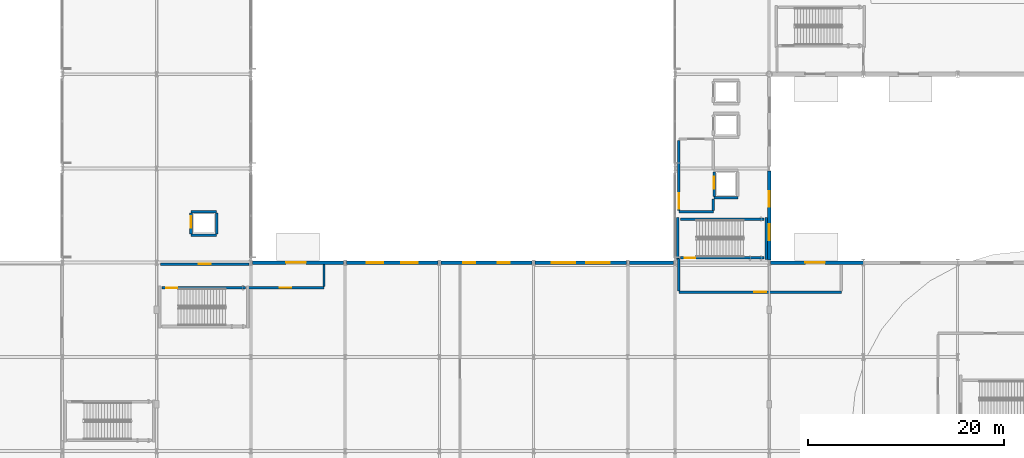
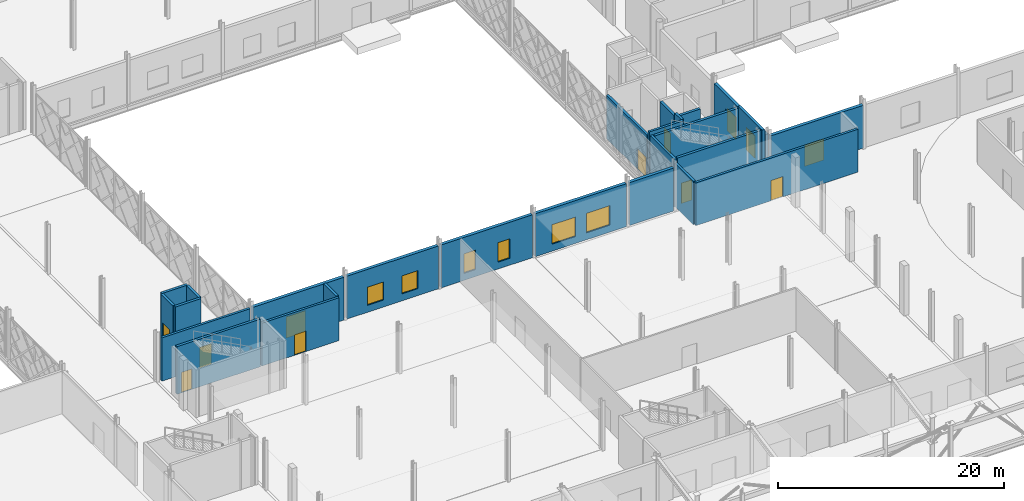
# One storey, part 53 of 84: 26 walls, 10 doors, 8 windows, 18 openings.
"""IFC4 building model written with IfcOpenShell, lengths in metres."""

from ifc_helpers import new_model, si_unit, direction, frame, frame_2d, origin, place, context, subcontext, project, spatial, rectangle, extrude, material, layer, layer_set, type_object, element, fill, save


model = new_model("IFC4")

# Units and contexts
model_context = context("Model", 3, precision=1e-05, world=origin(), true_north=direction((0.0, 1.0)))
body_context = subcontext(model_context, "Body", "Model", "MODEL_VIEW")
ifc_project = project(units=[si_unit("LENGTHUNIT", "METRE"), si_unit("AREAUNIT", "SQUARE_METRE"), si_unit("VOLUMEUNIT", "CUBIC_METRE"), si_unit("PLANEANGLEUNIT", "RADIAN"), si_unit("MASSUNIT", "GRAM", prefix="KILO")], contexts=[model_context])

# Site, building, storey
site_placement = place(None, origin())
site = spatial("IfcSite", under=ifc_project, at=site_placement, CompositionType="ELEMENT")
building_placement = place(site_placement, origin())
building = spatial("IfcBuilding", under=site, at=building_placement, Name="Zevrakil Square Congress Hotel", CompositionType="ELEMENT")
storey_placement = place(building_placement, origin())
storey = spatial("IfcBuildingStorey", under=building, at=storey_placement, Name="L01", CompositionType="ELEMENT", Elevation=0.0)

# Wall
ifc_material_1 = material(Name="Concrete C35/45", Category="concrete")
ifc_layer_1 = layer(ifc_material_1, 0.239990234375)
ifc_layer_set_1 = layer_set([ifc_layer_1], Name="Concrete C35/45")
wall_type_1 = type_object("IfcWallType", Name="WAL-COMP-240", PredefinedType="SOLIDWALL", material=ifc_layer_set_1)
wall_1_placement = place(storey_placement, frame((108.39990234375, 50.800048828125, 0.0), z_axis=(0.0, 0.0, 1.0), x_axis=(1.0, 0.0, 0.0)))
element("IfcWall", 1, at=wall_1_placement, inside=storey, type_object=wall_type_1, Name="L01 interior partition PW-L01-0042", PredefinedType="SOLIDWALL", context=body_context, shape_type="SweptSolid", body=[
    extrude(rectangle(XDim=3.5, YDim=0.239990234375, at=frame_2d((1.75, 0.0))), origin(), (0.0, 0.0, 1.0), 5.139892578125),
])

# Wall, opening, door
wall_2_placement = place(storey_placement, frame((108.39990234375, 50.925048828125, 0.0), z_axis=(0.0, 0.0, 1.0), x_axis=(0.0, 1.0, 0.0)))
wall_2 = element("IfcWall", 2, at=wall_2_placement, inside=storey, type_object=wall_type_1, Name="L01 interior partition PW-L01-0043", PredefinedType="SOLIDWALL", context=body_context, shape_type="SweptSolid", body=[
    extrude(rectangle(XDim=7.14990234375, YDim=0.239990234375, at=frame_2d((3.574951171875, 0.0))), origin(), (0.0, 0.0, 1.0), 4.68505859375),
])
opening_1_placement = place(wall_2_placement, frame((0.159912109375, 0.0, 0.0)))
opening_1 = element("IfcOpeningElement", 3, at=opening_1_placement, cuts=wall_2, Name="Opening FD90-D", PredefinedType="OPENING", context=body_context, shape_type="SweptSolid", body=[
    extrude(rectangle(XDim=1.60009765625, YDim=2.199951171875, at=frame_2d((0.800048828125, 1.10009765625))), frame((0.0, 0.1298828125, 0.0), z_axis=(0.0, -1.0, 0.0), x_axis=(1.0, 0.0, 0.0)), (0.0, 0.0, 1.0), 0.260009765625),
])
ifc_material_2 = material(Name="Steel S355 Double Fire Door", Category="steel")
door_type_1 = type_object("IfcDoorType", Name="DOR-FFLOB-FD90-160", OperationType="NOTDEFINED", PredefinedType="DOOR", material=ifc_material_2)
door_1_placement = place(opening_1_placement, origin())
door_1 = element("IfcDoor", 4, at=door_1_placement, inside=storey, type_object=door_type_1, Name="L01 interior door 13", OperationType="DOUBLE_DOOR_SINGLE_SWING", OverallHeight=2.199951171875, OverallWidth=1.60009765625, PredefinedType="DOOR", context=body_context, shape_type="SweptSolid", body=[
    extrude(rectangle(XDim=1.60009765625, YDim=2.199951171875, at=frame_2d((0.800048828125, 1.10009765625))), frame((0.0, 0.02490234375, 0.0), z_axis=(0.0, -1.0, 0.0), x_axis=(1.0, 0.0, 0.0)), (0.0, 0.0, 1.0), 0.050048828125),
])
fill(opening_1, door_1)

# Wall
wall_3_placement = place(storey_placement, frame((111.89990234375, 50.925048828125, 0.0), z_axis=(0.0, 0.0, 1.0), x_axis=(0.0, 1.0, 0.0)))
element("IfcWall", 5, at=wall_3_placement, inside=storey, type_object=wall_type_1, Name="L01 interior partition PW-L01-0045", PredefinedType="SOLIDWALL", context=body_context, shape_type="SweptSolid", body=[
    extrude(rectangle(XDim=1.155029296875, YDim=0.239990234375, at=frame_2d((0.57763671875, 0.0))), origin(), (0.0, 0.0, 1.0), 5.139892578125),
])

# Wall, opening, door
wall_4_placement = place(storey_placement, frame((64.39990234375, 43.050048828125, 0.0), z_axis=(0.0, 0.0, 1.0), x_axis=(1.0, 0.0, 0.0)))
wall_4 = element("IfcWall", 6, at=wall_4_placement, inside=storey, type_object=wall_type_1, Name="L01 interior partition PW-L01-0160", PredefinedType="SOLIDWALL", context=body_context, shape_type="SweptSolid", body=[
    extrude(rectangle(XDim=7.85009765625, YDim=0.239990234375, at=frame_2d((3.925048828125, 0.0))), origin(), (0.0, 0.0, 1.0), 4.625),
])
opening_2_placement = place(wall_4_placement, frame((3.324951171875, 0.0, 0.0)))
opening_2 = element("IfcOpeningElement", 7, at=opening_2_placement, cuts=wall_4, Name="Opening FD90", PredefinedType="OPENING", context=body_context, shape_type="SweptSolid", body=[
    extrude(rectangle(XDim=1.199951171875, YDim=2.199951171875, at=frame_2d((0.60009765625, 1.10009765625))), frame((0.0, 0.1298828125, 0.0), z_axis=(0.0, -1.0, 0.0), x_axis=(1.0, 0.0, 0.0)), (0.0, 0.0, 1.0), 0.260009765625),
])
ifc_material_3 = material(Name="Steel S355 Fire-Rated Door", Category="steel")
door_type_2 = type_object("IfcDoorType", Name="DOR-STAIR-FD90-120", OperationType="NOTDEFINED", PredefinedType="DOOR", material=ifc_material_3)
door_2_placement = place(opening_2_placement, origin())
door_2 = element("IfcDoor", 8, at=door_2_placement, inside=storey, type_object=door_type_2, Name="L01 interior door 65", OperationType="SINGLE_SWING_LEFT", OverallHeight=2.199951171875, OverallWidth=1.199951171875, PredefinedType="DOOR", context=body_context, shape_type="SweptSolid", body=[
    extrude(rectangle(XDim=1.199951171875, YDim=2.199951171875, at=frame_2d((0.60009765625, 1.10009765625))), frame((0.0, 0.02490234375, 0.0), z_axis=(0.0, -1.0, 0.0), x_axis=(1.0, 0.0, 0.0)), (0.0, 0.0, 1.0), 0.050048828125),
])
fill(opening_2, door_2)

# Wall
wall_5_placement = place(storey_placement, frame((72.25, 43.179931640625, 0.0), z_axis=(0.0, 0.0, 1.0), x_axis=(0.0, 1.0, 0.0)))
element("IfcWall", 9, at=wall_5_placement, inside=storey, type_object=wall_type_1, Name="L01 interior partition PW-L01-0161", PredefinedType="SOLIDWALL", context=body_context, shape_type="SweptSolid", body=[
    extrude(rectangle(XDim=2.239990234375, YDim=0.239990234375, at=frame_2d((1.1201171875, 0.0))), origin(), (0.0, 0.0, 1.0), 4.68505859375),
])

# Wall, opening, door
wall_6_placement = place(storey_placement, frame((55.60009765625, 45.449951171875, 0.0), z_axis=(0.0, 0.0, 1.0), x_axis=(1.0, 0.0, 0.0)))
wall_6 = element("IfcWall", 10, at=wall_6_placement, inside=storey, type_object=wall_type_1, Name="L01 interior partition PW-L01-0162", PredefinedType="SOLIDWALL", context=body_context, shape_type="SweptSolid", body=[
    extrude(rectangle(XDim=9.0, YDim=0.239990234375, at=frame_2d((4.5, 0.0))), origin(), (0.0, 0.0, 1.0), 4.675048828125),
])
opening_3_placement = place(wall_6_placement, frame((3.89990234375, 0.0, 0.0)))
opening_3 = element("IfcOpeningElement", 11, at=opening_3_placement, cuts=wall_6, Name="Opening FD90", PredefinedType="OPENING", context=body_context, shape_type="SweptSolid", body=[
    extrude(rectangle(XDim=1.199951171875, YDim=2.199951171875, at=frame_2d((0.60009765625, 1.10009765625))), frame((0.0, 0.1298828125, 0.0), z_axis=(0.0, -1.0, 0.0), x_axis=(1.0, 0.0, 0.0)), (0.0, 0.0, 1.0), 0.260009765625),
])
door_3_placement = place(opening_3_placement, origin())
door_3 = element("IfcDoor", 12, at=door_3_placement, inside=storey, type_object=door_type_2, Name="L01 interior door 66", OperationType="SINGLE_SWING_RIGHT", OverallHeight=2.199951171875, OverallWidth=1.199951171875, PredefinedType="DOOR", context=body_context, shape_type="SweptSolid", body=[
    extrude(rectangle(XDim=1.199951171875, YDim=2.199951171875, at=frame_2d((0.60009765625, 1.10009765625))), frame((0.0, 0.02490234375, 0.0), z_axis=(0.0, -1.0, 0.0), x_axis=(1.0, 0.0, 0.0)), (0.0, 0.0, 1.0), 0.050048828125),
])
fill(opening_3, door_3)

wall_7_placement = place(storey_placement, frame((108.39990234375, 42.60009765625, 0.0), z_axis=(0.0, 0.0, 1.0), x_axis=(1.0, 0.0, 0.0)))
wall_7 = element("IfcWall", 13, at=wall_7_placement, inside=storey, type_object=wall_type_1, Name="L01 interior partition PW-L01-0164", PredefinedType="SOLIDWALL", context=body_context, shape_type="SweptSolid", body=[
    extrude(rectangle(XDim=16.550048828125, YDim=0.239990234375, at=frame_2d((8.27490234375, 0.0))), origin(), (0.0, 0.0, 1.0), 4.625),
])
opening_4_placement = place(wall_7_placement, frame((7.675048828125, 0.0, 0.0)))
opening_4 = element("IfcOpeningElement", 14, at=opening_4_placement, cuts=wall_7, Name="Opening FD90", PredefinedType="OPENING", context=body_context, shape_type="SweptSolid", body=[
    extrude(rectangle(XDim=1.199951171875, YDim=2.199951171875, at=frame_2d((0.60009765625, 1.10009765625))), frame((0.0, 0.1298828125, 0.0), z_axis=(0.0, -1.0, 0.0), x_axis=(1.0, 0.0, 0.0)), (0.0, 0.0, 1.0), 0.260009765625),
])
door_4_placement = place(opening_4_placement, origin())
door_4 = element("IfcDoor", 15, at=door_4_placement, inside=storey, type_object=door_type_2, Name="L01 interior door 68", OperationType="SINGLE_SWING_RIGHT", OverallHeight=2.199951171875, OverallWidth=1.199951171875, PredefinedType="DOOR", context=body_context, shape_type="SweptSolid", body=[
    extrude(rectangle(XDim=1.199951171875, YDim=2.199951171875, at=frame_2d((0.60009765625, 1.10009765625))), frame((0.0, 0.02490234375, 0.0), z_axis=(0.0, -1.0, 0.0), x_axis=(1.0, 0.0, 0.0)), (0.0, 0.0, 1.0), 0.050048828125),
])
fill(opening_4, door_4)

# Wall
wall_8_placement = place(storey_placement, frame((108.39990234375, 42.72998046875, 0.0), z_axis=(0.0, 0.0, 1.0), x_axis=(0.0, 1.0, 0.0)))
element("IfcWall", 16, at=wall_8_placement, inside=storey, type_object=wall_type_1, Name="L01 interior partition PW-L01-0165", PredefinedType="SOLIDWALL", context=body_context, shape_type="SweptSolid", body=[
    extrude(rectangle(XDim=3.320068359375, YDim=0.239990234375, at=frame_2d((1.66015625, 0.0))), origin(), (0.0, 0.0, 1.0), 4.68505859375),
])

# Wall, opening, door
ifc_material_4 = material(Name="Precast concrete C40/50", Category="concrete")
ifc_layer_2 = layer(ifc_material_4, 0.320068359375)
ifc_layer_set_2 = layer_set([ifc_layer_2], Name="Precast concrete C40/50")
wall_type_2 = type_object("IfcWallType", Name="WAL-EXT-GRC-320", PredefinedType="SOLIDWALL", material=ifc_layer_set_2)
wall_9_placement = place(storey_placement, frame((64.9541015625, 45.60009765625, 0.0), z_axis=(0.0, 0.0, 1.0), x_axis=(1.0, 0.0, 0.0)))
wall_9 = element("IfcWall", 17, at=wall_9_placement, inside=storey, type_object=wall_type_2, Name="L01 exterior GRC wall EW-L01-0083", PredefinedType="SOLIDWALL", context=body_context, shape_type="SweptSolid", body=[
    extrude(rectangle(XDim=9.2919921875, YDim=0.320068359375, at=frame_2d((4.64599609375, 0.0))), origin(), (0.0, 0.0, 1.0), 4.625),
])
opening_5_placement = place(wall_9_placement, frame((3.446044921875, 0.0, 0.0)))
opening_5 = element("IfcOpeningElement", 18, at=opening_5_placement, cuts=wall_9, Name="Opening E47", PredefinedType="OPENING", context=body_context, shape_type="SweptSolid", body=[
    extrude(rectangle(XDim=2.0, YDim=2.300048828125, at=frame_2d((1.0, 1.14990234375))), frame((0.0, 0.169921875, 0.0), z_axis=(0.0, -1.0, 0.0), x_axis=(1.0, 0.0, 0.0)), (0.0, 0.0, 1.0), 0.340087890625),
])
ifc_material_5 = material(Name="Aluminium Thermal-Break Glazed Door", Category="aluminium")
door_type_3 = type_object("IfcDoorType", Name="DOR-EXIT-200", OperationType="NOTDEFINED", PredefinedType="DOOR", material=ifc_material_5)
door_5_placement = place(opening_5_placement, origin())
door_5 = element("IfcDoor", 19, at=door_5_placement, inside=storey, type_object=door_type_3, Name="L01 pedestrian final exit door E47", OperationType="DOUBLE_DOOR_SINGLE_SWING", OverallHeight=2.300048828125, OverallWidth=2.0, PredefinedType="DOOR", context=body_context, shape_type="SweptSolid", body=[
    extrude(rectangle(XDim=2.0, YDim=2.300048828125, at=frame_2d((1.0, 1.14990234375))), frame((0.0, 0.02490234375, 0.0), z_axis=(0.0, -1.0, 0.0), x_axis=(1.0, 0.0, 0.0)), (0.0, 0.0, 1.0), 0.050048828125),
])
fill(opening_5, door_5)

# Wall, openings, windows
wall_10_placement = place(storey_placement, frame((74.553955078125, 45.60009765625, 0.0), z_axis=(0.0, 0.0, 1.0), x_axis=(1.0, 0.0, 0.0)))
wall_10 = element("IfcWall", 20, at=wall_10_placement, inside=storey, type_object=wall_type_2, Name="L01 exterior GRC wall EW-L01-0085", PredefinedType="SOLIDWALL", context=body_context, shape_type="SweptSolid", body=[
    extrude(rectangle(XDim=9.2919921875, YDim=0.320068359375, at=frame_2d((4.64599609375, 0.0))), origin(), (0.0, 0.0, 1.0), 4.625),
])
opening_6_placement = place(wall_10_placement, frame((2.072998046875, 0.0, 0.75)))
opening_6 = element("IfcOpeningElement", 21, at=opening_6_placement, cuts=wall_10, Name="Opening WN-27", PredefinedType="OPENING", context=body_context, shape_type="SweptSolid", body=[
    extrude(rectangle(XDim=1.64990234375, YDim=1.949951171875, at=frame_2d((0.824951171875, 0.97509765625))), frame((0.0, 0.169921875, 0.0), z_axis=(0.0, -1.0, 0.0), x_axis=(1.0, 0.0, 0.0)), (0.0, 0.0, 1.0), 0.340087890625),
])
opening_7_placement = place(wall_10_placement, frame((5.569091796875, 0.0, 0.75)))
opening_7 = element("IfcOpeningElement", 22, at=opening_7_placement, cuts=wall_10, Name="Opening WN-27", PredefinedType="OPENING", context=body_context, shape_type="SweptSolid", body=[
    extrude(rectangle(XDim=1.64990234375, YDim=1.949951171875, at=frame_2d((0.824951171875, 0.97509765625))), frame((0.0, 0.169921875, 0.0), z_axis=(0.0, -1.0, 0.0), x_axis=(1.0, 0.0, 0.0)), (0.0, 0.0, 1.0), 0.340087890625),
])
ifc_material_6 = material(Name="Low-E Solar Control Double Glazing", Category="glass")
window_type_1 = type_object("IfcWindowType", Name="WIN-EXT-27", PartitioningType="SINGLE_PANEL", PredefinedType="WINDOW", material=ifc_material_6)
window_1_placement = place(opening_6_placement, origin())
window_1 = element("IfcWindow", 23, at=window_1_placement, inside=storey, type_object=window_type_1, Name="L01 low-E solar window 71", OverallHeight=1.949951171875, OverallWidth=1.64990234375, PartitioningType="SINGLE_PANEL", PredefinedType="WINDOW", context=body_context, shape_type="SweptSolid", body=[
    extrude(rectangle(XDim=1.64990234375, YDim=1.949951171875, at=frame_2d((0.824951171875, 0.97509765625))), frame((0.0, 0.030029296875, 0.0), z_axis=(0.0, -1.0, 0.0), x_axis=(1.0, 0.0, 0.0)), (0.0, 0.0, 1.0), 0.06005859375),
])
fill(opening_6, window_1)
window_2_placement = place(opening_7_placement, origin())
window_2 = element("IfcWindow", 24, at=window_2_placement, inside=storey, type_object=window_type_1, Name="L01 low-E solar window 72", OverallHeight=1.949951171875, OverallWidth=1.64990234375, PartitioningType="SINGLE_PANEL", PredefinedType="WINDOW", context=body_context, shape_type="SweptSolid", body=[
    extrude(rectangle(XDim=1.64990234375, YDim=1.949951171875, at=frame_2d((0.824951171875, 0.97509765625))), frame((0.0, 0.030029296875, 0.0), z_axis=(0.0, -1.0, 0.0), x_axis=(1.0, 0.0, 0.0)), (0.0, 0.0, 1.0), 0.06005859375),
])
fill(opening_7, window_2)

wall_11_placement = place(storey_placement, frame((84.154052734375, 45.60009765625, 0.0), z_axis=(0.0, 0.0, 1.0), x_axis=(1.0, 0.0, 0.0)))
wall_11 = element("IfcWall", 25, at=wall_11_placement, inside=storey, type_object=wall_type_2, Name="L01 exterior GRC wall EW-L01-0087", PredefinedType="SOLIDWALL", context=body_context, shape_type="SweptSolid", body=[
    extrude(rectangle(XDim=9.2919921875, YDim=0.320068359375, at=frame_2d((4.64599609375, 0.0))), origin(), (0.0, 0.0, 1.0), 4.625),
])
opening_8_placement = place(wall_11_placement, frame((2.298095703125, 0.0, 0.75)))
opening_8 = element("IfcOpeningElement", 26, at=opening_8_placement, cuts=wall_11, Name="Opening WN-31", PredefinedType="OPENING", context=body_context, shape_type="SweptSolid", body=[
    extrude(rectangle(XDim=1.199951171875, YDim=2.10009765625, at=frame_2d((0.60009765625, 1.050048828125))), frame((0.0, 0.169921875, 0.0), z_axis=(0.0, -1.0, 0.0), x_axis=(1.0, 0.0, 0.0)), (0.0, 0.0, 1.0), 0.340087890625),
])
opening_9_placement = place(wall_11_placement, frame((5.7939453125, 0.0, 0.75)))
opening_9 = element("IfcOpeningElement", 27, at=opening_9_placement, cuts=wall_11, Name="Opening WN-31", PredefinedType="OPENING", context=body_context, shape_type="SweptSolid", body=[
    extrude(rectangle(XDim=1.199951171875, YDim=2.10009765625, at=frame_2d((0.60009765625, 1.050048828125))), frame((0.0, 0.169921875, 0.0), z_axis=(0.0, -1.0, 0.0), x_axis=(1.0, 0.0, 0.0)), (0.0, 0.0, 1.0), 0.340087890625),
])
ifc_material_7 = material(Name="Low-E Solar Control Double Glazing", Category="glass")
window_type_2 = type_object("IfcWindowType", Name="WIN-EXT-31", PartitioningType="SINGLE_PANEL", PredefinedType="WINDOW", material=ifc_material_7)
window_3_placement = place(opening_8_placement, origin())
window_3 = element("IfcWindow", 28, at=window_3_placement, inside=storey, type_object=window_type_2, Name="L01 low-E solar window 75", OverallHeight=2.10009765625, OverallWidth=1.199951171875, PartitioningType="SINGLE_PANEL", PredefinedType="WINDOW", context=body_context, shape_type="SweptSolid", body=[
    extrude(rectangle(XDim=1.199951171875, YDim=2.10009765625, at=frame_2d((0.60009765625, 1.050048828125))), frame((0.0, 0.030029296875, 0.0), z_axis=(0.0, -1.0, 0.0), x_axis=(1.0, 0.0, 0.0)), (0.0, 0.0, 1.0), 0.06005859375),
])
fill(opening_8, window_3)
window_4_placement = place(opening_9_placement, origin())
window_4 = element("IfcWindow", 29, at=window_4_placement, inside=storey, type_object=window_type_2, Name="L01 low-E solar window 76", OverallHeight=2.10009765625, OverallWidth=1.199951171875, PartitioningType="SINGLE_PANEL", PredefinedType="WINDOW", context=body_context, shape_type="SweptSolid", body=[
    extrude(rectangle(XDim=1.199951171875, YDim=2.10009765625, at=frame_2d((0.60009765625, 1.050048828125))), frame((0.0, 0.030029296875, 0.0), z_axis=(0.0, -1.0, 0.0), x_axis=(1.0, 0.0, 0.0)), (0.0, 0.0, 1.0), 0.06005859375),
])
fill(opening_9, window_4)

wall_12_placement = place(storey_placement, frame((93.75390625, 45.60009765625, 0.0), z_axis=(0.0, 0.0, 1.0), x_axis=(1.0, 0.0, 0.0)))
wall_12 = element("IfcWall", 30, at=wall_12_placement, inside=storey, type_object=wall_type_2, Name="L01 exterior GRC wall EW-L01-0089", PredefinedType="SOLIDWALL", context=body_context, shape_type="SweptSolid", body=[
    extrude(rectangle(XDim=9.2919921875, YDim=0.320068359375, at=frame_2d((4.64599609375, 0.0))), origin(), (0.0, 0.0, 1.0), 4.625),
])
opening_10_placement = place(wall_12_placement, frame((1.697998046875, 0.0, 0.75)))
opening_10 = element("IfcOpeningElement", 31, at=opening_10_placement, cuts=wall_12, Name="Opening WN-35", PredefinedType="OPENING", context=body_context, shape_type="SweptSolid", body=[
    extrude(rectangle(XDim=2.39990234375, YDim=2.10009765625, at=frame_2d((1.199951171875, 1.050048828125))), frame((0.0, 0.169921875, 0.0), z_axis=(0.0, -1.0, 0.0), x_axis=(1.0, 0.0, 0.0)), (0.0, 0.0, 1.0), 0.340087890625),
])
opening_11_placement = place(wall_12_placement, frame((5.194091796875, 0.0, 0.75)))
opening_11 = element("IfcOpeningElement", 32, at=opening_11_placement, cuts=wall_12, Name="Opening WN-35", PredefinedType="OPENING", context=body_context, shape_type="SweptSolid", body=[
    extrude(rectangle(XDim=2.39990234375, YDim=2.10009765625, at=frame_2d((1.199951171875, 1.050048828125))), frame((0.0, 0.169921875, 0.0), z_axis=(0.0, -1.0, 0.0), x_axis=(1.0, 0.0, 0.0)), (0.0, 0.0, 1.0), 0.340087890625),
])
ifc_material_8 = material(Name="Low-E Solar Control Double Glazing", Category="glass")
window_type_3 = type_object("IfcWindowType", Name="WIN-EXT-35", PartitioningType="SINGLE_PANEL", PredefinedType="WINDOW", material=ifc_material_8)
window_5_placement = place(opening_10_placement, origin())
window_5 = element("IfcWindow", 33, at=window_5_placement, inside=storey, type_object=window_type_3, Name="L01 low-E solar window 79", OverallHeight=2.10009765625, OverallWidth=2.39990234375, PartitioningType="SINGLE_PANEL", PredefinedType="WINDOW", context=body_context, shape_type="SweptSolid", body=[
    extrude(rectangle(XDim=2.39990234375, YDim=2.10009765625, at=frame_2d((1.199951171875, 1.050048828125))), frame((0.0, 0.030029296875, 0.0), z_axis=(0.0, -1.0, 0.0), x_axis=(1.0, 0.0, 0.0)), (0.0, 0.0, 1.0), 0.06005859375),
])
fill(opening_10, window_5)
window_6_placement = place(opening_11_placement, origin())
window_6 = element("IfcWindow", 34, at=window_6_placement, inside=storey, type_object=window_type_3, Name="L01 low-E solar window 80", OverallHeight=2.10009765625, OverallWidth=2.39990234375, PartitioningType="SINGLE_PANEL", PredefinedType="WINDOW", context=body_context, shape_type="SweptSolid", body=[
    extrude(rectangle(XDim=2.39990234375, YDim=2.10009765625, at=frame_2d((1.199951171875, 1.050048828125))), frame((0.0, 0.030029296875, 0.0), z_axis=(0.0, -1.0, 0.0), x_axis=(1.0, 0.0, 0.0)), (0.0, 0.0, 1.0), 0.06005859375),
])
fill(opening_11, window_6)

# Wall
wall_13_placement = place(storey_placement, frame((103.35400390625, 45.60009765625, 0.0), z_axis=(0.0, 0.0, 1.0), x_axis=(1.0, 0.0, 0.0)))
element("IfcWall", 35, at=wall_13_placement, inside=storey, type_object=wall_type_2, Name="L01 exterior GRC wall EW-L01-0091", PredefinedType="SOLIDWALL", context=body_context, shape_type="SweptSolid", body=[
    extrude(rectangle(XDim=4.491943359375, YDim=0.320068359375, at=frame_2d((2.24609375, 0.0))), origin(), (0.0, 0.0, 1.0), 4.625),
])

# Wall, opening, door
wall_14_placement = place(storey_placement, frame((117.75390625, 45.60009765625, 0.0), z_axis=(0.0, 0.0, 1.0), x_axis=(1.0, 0.0, 0.0)))
wall_14 = element("IfcWall", 36, at=wall_14_placement, inside=storey, type_object=wall_type_2, Name="L01 exterior GRC wall EW-L01-0093", PredefinedType="SOLIDWALL", context=body_context, shape_type="SweptSolid", body=[
    extrude(rectangle(XDim=9.443115234375, YDim=0.320068359375, at=frame_2d((4.7216796875, 0.0))), origin(), (0.0, 0.0, 1.0), 4.625),
])
opening_12_placement = place(wall_14_placement, frame((3.521484375, 0.0, 0.0)))
opening_12 = element("IfcOpeningElement", 37, at=opening_12_placement, cuts=wall_14, Name="Opening E49", PredefinedType="OPENING", context=body_context, shape_type="SweptSolid", body=[
    extrude(rectangle(XDim=2.0, YDim=2.300048828125, at=frame_2d((1.0, 1.14990234375))), frame((0.0, 0.169921875, 0.0), z_axis=(0.0, -1.0, 0.0), x_axis=(1.0, 0.0, 0.0)), (0.0, 0.0, 1.0), 0.340087890625),
])
door_6_placement = place(opening_12_placement, origin())
door_6 = element("IfcDoor", 38, at=door_6_placement, inside=storey, type_object=door_type_3, Name="L01 pedestrian final exit door E49", OperationType="DOUBLE_DOOR_SINGLE_SWING", OverallHeight=2.300048828125, OverallWidth=2.0, PredefinedType="DOOR", context=body_context, shape_type="SweptSolid", body=[
    extrude(rectangle(XDim=2.0, YDim=2.300048828125, at=frame_2d((1.0, 1.14990234375))), frame((0.0, 0.02490234375, 0.0), z_axis=(0.0, -1.0, 0.0), x_axis=(1.0, 0.0, 0.0)), (0.0, 0.0, 1.0), 0.050048828125),
])
fill(opening_12, door_6)

# Wall, openings, windows
wall_15_placement = place(storey_placement, frame((117.60009765625, 45.85400390625, 0.0), z_axis=(0.0, 0.0, 1.0), x_axis=(0.0, 1.0, 0.0)))
wall_15 = element("IfcWall", 39, at=wall_15_placement, inside=storey, type_object=wall_type_2, Name="L01 exterior GRC wall EW-L01-0106", PredefinedType="SOLIDWALL", context=body_context, shape_type="SweptSolid", body=[
    extrude(rectangle(XDim=9.092041015625, YDim=0.320068359375, at=frame_2d((4.5458984375, 0.0))), origin(), (0.0, 0.0, 1.0), 4.625),
])
opening_13_placement = place(wall_15_placement, frame((2.048095703125, 0.0, 0.75)))
opening_13 = element("IfcOpeningElement", 40, at=opening_13_placement, cuts=wall_15, Name="Opening WN-41", PredefinedType="OPENING", context=body_context, shape_type="SweptSolid", body=[
    extrude(rectangle(XDim=1.60009765625, YDim=2.39990234375, at=frame_2d((0.800048828125, 1.199951171875))), frame((0.0, 0.169921875, 0.0), z_axis=(0.0, -1.0, 0.0), x_axis=(1.0, 0.0, 0.0)), (0.0, 0.0, 1.0), 0.340087890625),
])
opening_14_placement = place(wall_15_placement, frame((5.444091796875, 0.0, 0.75)))
opening_14 = element("IfcOpeningElement", 41, at=opening_14_placement, cuts=wall_15, Name="Opening WN-41", PredefinedType="OPENING", context=body_context, shape_type="SweptSolid", body=[
    extrude(rectangle(XDim=1.60009765625, YDim=2.39990234375, at=frame_2d((0.800048828125, 1.199951171875))), frame((0.0, 0.169921875, 0.0), z_axis=(0.0, -1.0, 0.0), x_axis=(1.0, 0.0, 0.0)), (0.0, 0.0, 1.0), 0.340087890625),
])
ifc_material_9 = material(Name="Low-E Solar Control Double Glazing", Category="glass")
window_type_4 = type_object("IfcWindowType", Name="WIN-EXT-41", PartitioningType="SINGLE_PANEL", PredefinedType="WINDOW", material=ifc_material_9)
window_7_placement = place(opening_13_placement, origin())
window_7 = element("IfcWindow", 42, at=window_7_placement, inside=storey, type_object=window_type_4, Name="L01 low-E solar window 85", OverallHeight=2.39990234375, OverallWidth=1.60009765625, PartitioningType="SINGLE_PANEL", PredefinedType="WINDOW", context=body_context, shape_type="SweptSolid", body=[
    extrude(rectangle(XDim=1.60009765625, YDim=2.39990234375, at=frame_2d((0.800048828125, 1.199951171875))), frame((0.0, 0.030029296875, 0.0), z_axis=(0.0, -1.0, 0.0), x_axis=(1.0, 0.0, 0.0)), (0.0, 0.0, 1.0), 0.06005859375),
])
fill(opening_13, window_7)
window_8_placement = place(opening_14_placement, origin())
window_8 = element("IfcWindow", 43, at=window_8_placement, inside=storey, type_object=window_type_4, Name="L01 low-E solar window 86", OverallHeight=2.39990234375, OverallWidth=1.60009765625, PartitioningType="SINGLE_PANEL", PredefinedType="WINDOW", context=body_context, shape_type="SweptSolid", body=[
    extrude(rectangle(XDim=1.60009765625, YDim=2.39990234375, at=frame_2d((0.800048828125, 1.199951171875))), frame((0.0, 0.030029296875, 0.0), z_axis=(0.0, -1.0, 0.0), x_axis=(1.0, 0.0, 0.0)), (0.0, 0.0, 1.0), 0.06005859375),
])
fill(opening_14, window_8)

# Wall, opening, door
ifc_material_10 = material(Name="Concrete C40/50", Category="concrete")
ifc_layer_3 = layer(ifc_material_10, 0.260009765625)
ifc_layer_set_3 = layer_set([ifc_layer_3], Name="Concrete C40/50")
wall_type_3 = type_object("IfcWallType", Name="WAL-SHAFT-260", PredefinedType="SHEAR", material=ifc_layer_set_3)
wall_16_placement = place(storey_placement, frame((55.739990234375, 43.044921875, 0.0), z_axis=(0.0, 0.0, 1.0), x_axis=(1.0, 0.0, 0.0)))
wall_16 = element("IfcWall", 44, at=wall_16_placement, inside=storey, type_object=wall_type_3, Name="L01 ST04 stair shaft N wall", PredefinedType="SHEAR", context=body_context, shape_type="SweptSolid", body=[
    extrude(rectangle(XDim=8.52001953125, YDim=0.260009765625, at=frame_2d((4.260009765625, 0.0))), origin(), (0.0, 0.0, 1.0), 5.139892578125),
])
opening_15_placement = place(wall_16_placement, frame((0.449951171875, 0.0, 0.0)))
opening_15 = element("IfcOpeningElement", 45, at=opening_15_placement, cuts=wall_16, Name="Opening SD-ST04", PredefinedType="OPENING", context=body_context, shape_type="SweptSolid", body=[
    extrude(rectangle(XDim=1.10009765625, YDim=2.199951171875, at=frame_2d((0.550048828125, 1.10009765625))), frame((0.0, 0.14013671875, 0.0), z_axis=(0.0, -1.0, 0.0), x_axis=(1.0, 0.0, 0.0)), (0.0, 0.0, 1.0), 0.280029296875),
])
ifc_material_11 = material(Name="Steel S355 Fire-Rated Door", Category="steel")
door_type_4 = type_object("IfcDoorType", Name="DOR-STAIR-FD90-110", OperationType="NOTDEFINED", PredefinedType="DOOR", material=ifc_material_11)
door_7_placement = place(opening_15_placement, origin())
door_7 = element("IfcDoor", 46, at=door_7_placement, inside=storey, type_object=door_type_4, Name="L01 ST04 protected stair fire door", OperationType="SINGLE_SWING_RIGHT", OverallHeight=2.199951171875, OverallWidth=1.10009765625, PredefinedType="DOOR", context=body_context, shape_type="SweptSolid", body=[
    extrude(rectangle(XDim=1.10009765625, YDim=2.199951171875, at=frame_2d((0.550048828125, 1.10009765625))), frame((0.0, 0.02490234375, 0.0), z_axis=(0.0, -1.0, 0.0), x_axis=(1.0, 0.0, 0.0)), (0.0, 0.0, 1.0), 0.050048828125),
])
fill(opening_15, door_7)

# Walls
for number, where, z_axis, x_axis, name in (
    (47, (108.304931640625, 45.93994140625, 0.0), (0.0, 0.0, 1.0), (0.0, 1.0, 0.0), "L01 ST07 stair shaft W wall"),
    (48, (117.294921875, 45.93994140625, 0.0), (0.0, 0.0, 1.0), (0.0, 1.0, 0.0), "L01 ST07 stair shaft E wall"),
):
    element("IfcWall", number, at=place(storey_placement, frame(where, z_axis=z_axis, x_axis=x_axis)), inside=storey, type_object=wall_type_3, Name=name, PredefinedType="SHEAR", context=body_context, shape_type="SweptSolid", body=[
        extrude(rectangle(XDim=4.27001953125, YDim=0.260009765625, at=frame_2d((2.135009765625, 0.0))), origin(), (0.0, 0.0, 1.0), 5.139892578125),
    ])

# Wall, opening, door
wall_17_placement = place(storey_placement, frame((108.5400390625, 46.10498046875, 0.0), z_axis=(0.0, 0.0, 1.0), x_axis=(1.0, 0.0, 0.0)))
wall_17 = element("IfcWall", 49, at=wall_17_placement, inside=storey, type_object=wall_type_3, Name="L01 ST07 stair shaft S wall", PredefinedType="SHEAR", context=body_context, shape_type="SweptSolid", body=[
    extrude(rectangle(XDim=8.52001953125, YDim=0.260009765625, at=frame_2d((4.260009765625, 0.0))), origin(), (0.0, 0.0, 1.0), 5.139892578125),
])
opening_16_placement = place(wall_17_placement, frame((0.449951171875, 0.0, 0.0)))
opening_16 = element("IfcOpeningElement", 50, at=opening_16_placement, cuts=wall_17, Name="Opening SD-ST07", PredefinedType="OPENING", context=body_context, shape_type="SweptSolid", body=[
    extrude(rectangle(XDim=1.10009765625, YDim=2.199951171875, at=frame_2d((0.550048828125, 1.10009765625))), frame((0.0, 0.14013671875, 0.0), z_axis=(0.0, -1.0, 0.0), x_axis=(1.0, 0.0, 0.0)), (0.0, 0.0, 1.0), 0.280029296875),
])
door_8_placement = place(opening_16_placement, origin())
door_8 = element("IfcDoor", 51, at=door_8_placement, inside=storey, type_object=door_type_4, Name="L01 ST07 protected stair fire door", OperationType="SINGLE_SWING_RIGHT", OverallHeight=2.199951171875, OverallWidth=1.10009765625, PredefinedType="DOOR", context=body_context, shape_type="SweptSolid", body=[
    extrude(rectangle(XDim=1.10009765625, YDim=2.199951171875, at=frame_2d((0.550048828125, 1.10009765625))), frame((0.0, 0.02490234375, 0.0), z_axis=(0.0, -1.0, 0.0), x_axis=(1.0, 0.0, 0.0)), (0.0, 0.0, 1.0), 0.050048828125),
])
fill(opening_16, door_8)

# Walls
wall_18_placement = place(storey_placement, frame((108.5400390625, 50.044921875, 0.0), z_axis=(0.0, 0.0, 1.0), x_axis=(1.0, 0.0, 0.0)))
element("IfcWall", 52, at=wall_18_placement, inside=storey, type_object=wall_type_3, Name="L01 ST07 stair shaft N wall", PredefinedType="SHEAR", context=body_context, shape_type="SweptSolid", body=[
    extrude(rectangle(XDim=8.52001953125, YDim=0.260009765625, at=frame_2d((4.260009765625, 0.0))), origin(), (0.0, 0.0, 1.0), 5.139892578125),
])
wall_19_placement = place(storey_placement, frame((112.0, 52.199951171875, 0.0), z_axis=(0.0, 0.0, 1.0), x_axis=(1.0, 0.0, 0.0)))
element("IfcWall", 53, at=wall_19_placement, inside=storey, type_object=wall_type_3, Name="L01 FFL2 lift shaft wall", PredefinedType="SHEAR", context=body_context, shape_type="SweptSolid", body=[
    extrude(rectangle(XDim=2.39990234375, YDim=0.260009765625, at=frame_2d((1.199951171875, 0.0))), origin(), (0.0, 0.0, 1.0), 4.68505859375),
])

# Wall, opening, door
wall_20_placement = place(storey_placement, frame((112.0, 52.340087890625, 0.0), z_axis=(0.0, 0.0, 1.0), x_axis=(0.0, 1.0, 0.0)))
wall_20 = element("IfcWall", 54, at=wall_20_placement, inside=storey, type_object=wall_type_3, Name="L01 FFL2 lift shaft wall", PredefinedType="SHEAR", context=body_context, shape_type="SweptSolid", body=[
    extrude(rectangle(XDim=2.52001953125, YDim=0.260009765625, at=frame_2d((1.260009765625, 0.0))), origin(), (0.0, 0.0, 1.0), 4.68505859375),
])
opening_17_placement = place(wall_20_placement, frame((0.800048828125, 0.0, 0.0)))
opening_17 = element("IfcOpeningElement", 55, at=opening_17_placement, cuts=wall_20, Name="Opening LD-FFL2", PredefinedType="OPENING", context=body_context, shape_type="SweptSolid", body=[
    extrude(rectangle(XDim=1.199951171875, YDim=2.199951171875, at=frame_2d((0.60009765625, 1.10009765625))), frame((0.0, 0.14013671875, 0.0), z_axis=(0.0, -1.0, 0.0), x_axis=(1.0, 0.0, 0.0)), (0.0, 0.0, 1.0), 0.280029296875),
])
ifc_material_12 = material(Name="Stainless Steel Sliding Lift Landing Door", Category="steel")
door_type_5 = type_object("IfcDoorType", Name="DOR-LIFT-LD120", OperationType="NOTDEFINED", PredefinedType="DOOR", material=ifc_material_12)
door_9_placement = place(opening_17_placement, origin())
door_9 = element("IfcDoor", 56, at=door_9_placement, inside=storey, type_object=door_type_5, Name="L01 FFL2 sliding lift landing door", OperationType="SLIDING_TO_LEFT", OverallHeight=2.199951171875, OverallWidth=1.199951171875, PredefinedType="DOOR", context=body_context, shape_type="SweptSolid", body=[
    extrude(rectangle(XDim=1.199951171875, YDim=2.199951171875, at=frame_2d((0.60009765625, 1.10009765625))), frame((0.0, 0.02490234375, 0.0), z_axis=(0.0, -1.0, 0.0), x_axis=(1.0, 0.0, 0.0)), (0.0, 0.0, 1.0), 0.050048828125),
])
fill(opening_17, door_9)

# Walls
for number, where, z_axis, x_axis, name in (
    (57, (58.699951171875, 48.39990234375, 0.0), (0.0, 0.0, 1.0), (1.0, 0.0, 0.0), "L01 CL3 lift shaft wall"),
    (58, (58.699951171875, 50.800048828125, 0.0), (0.0, 0.0, 1.0), (1.0, 0.0, 0.0), "L01 CL3 lift shaft wall"),
):
    element("IfcWall", number, at=place(storey_placement, frame(where, z_axis=z_axis, x_axis=x_axis)), inside=storey, type_object=wall_type_3, Name=name, PredefinedType="SHEAR", context=body_context, shape_type="SweptSolid", body=[
        extrude(rectangle(XDim=2.60009765625, YDim=0.260009765625, at=frame_2d((1.300048828125, 0.0))), origin(), (0.0, 0.0, 1.0), 5.139892578125),
    ])

# Wall, opening, door
wall_21_placement = place(storey_placement, frame((58.699951171875, 48.5400390625, 0.0), z_axis=(0.0, 0.0, 1.0), x_axis=(0.0, 1.0, 0.0)))
wall_21 = element("IfcWall", 59, at=wall_21_placement, inside=storey, type_object=wall_type_3, Name="L01 CL3 lift shaft wall", PredefinedType="SHEAR", context=body_context, shape_type="SweptSolid", body=[
    extrude(rectangle(XDim=2.119873046875, YDim=0.260009765625, at=frame_2d((1.06005859375, 0.0))), origin(), (0.0, 0.0, 1.0), 5.139892578125),
])
opening_18_placement = place(wall_21_placement, frame((0.60009765625, 0.0, 0.0)))
opening_18 = element("IfcOpeningElement", 60, at=opening_18_placement, cuts=wall_21, Name="Opening LD-CL3", PredefinedType="OPENING", context=body_context, shape_type="SweptSolid", body=[
    extrude(rectangle(XDim=1.199951171875, YDim=2.199951171875, at=frame_2d((0.60009765625, 1.10009765625))), frame((0.0, 0.14013671875, 0.0), z_axis=(0.0, -1.0, 0.0), x_axis=(1.0, 0.0, 0.0)), (0.0, 0.0, 1.0), 0.280029296875),
])
door_10_placement = place(opening_18_placement, origin())
door_10 = element("IfcDoor", 61, at=door_10_placement, inside=storey, type_object=door_type_5, Name="L01 CL3 sliding lift landing door", OperationType="SLIDING_TO_RIGHT", OverallHeight=2.199951171875, OverallWidth=1.199951171875, PredefinedType="DOOR", context=body_context, shape_type="SweptSolid", body=[
    extrude(rectangle(XDim=1.199951171875, YDim=2.199951171875, at=frame_2d((0.60009765625, 1.10009765625))), frame((0.0, 0.02490234375, 0.0), z_axis=(0.0, -1.0, 0.0), x_axis=(1.0, 0.0, 0.0)), (0.0, 0.0, 1.0), 0.050048828125),
])
fill(opening_18, door_10)

# Wall
wall_22_placement = place(storey_placement, frame((61.300048828125, 48.5400390625, 0.0), z_axis=(0.0, 0.0, 1.0), x_axis=(0.0, 1.0, 0.0)))
element("IfcWall", 62, at=wall_22_placement, inside=storey, type_object=wall_type_3, Name="L01 CL3 lift shaft wall", PredefinedType="SHEAR", context=body_context, shape_type="SweptSolid", body=[
    extrude(rectangle(XDim=2.119873046875, YDim=0.260009765625, at=frame_2d((1.06005859375, 0.0))), origin(), (0.0, 0.0, 1.0), 5.139892578125),
])

save(model, "model.ifc")
